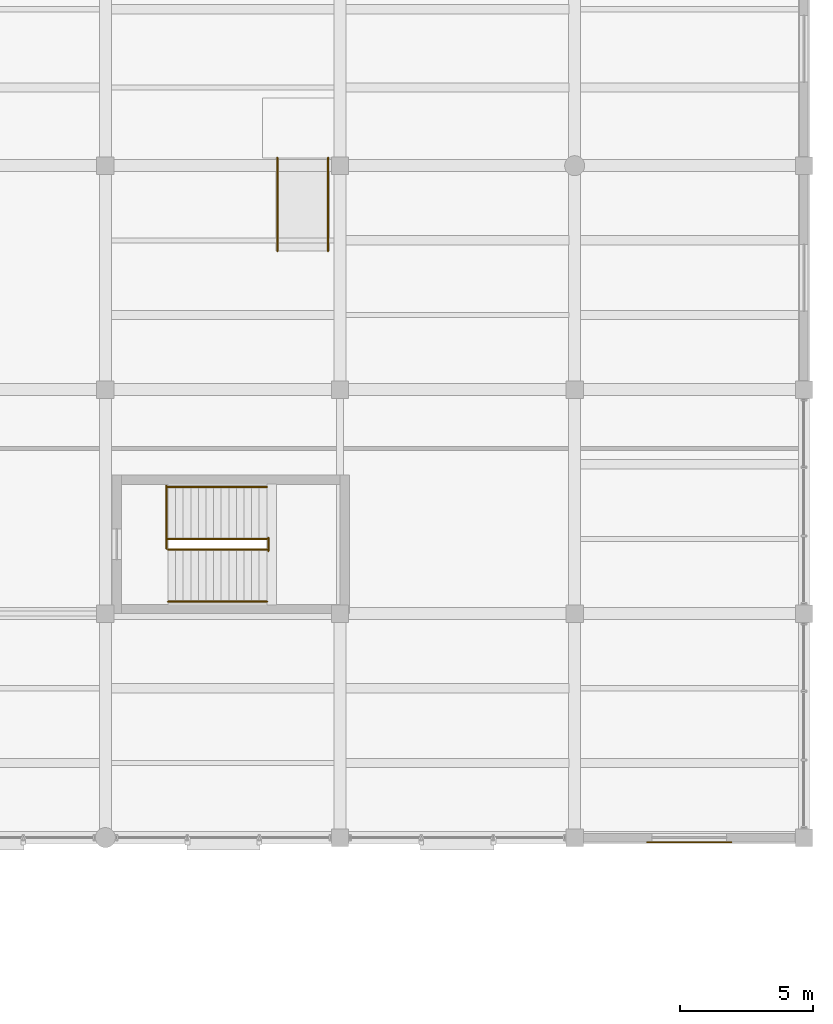
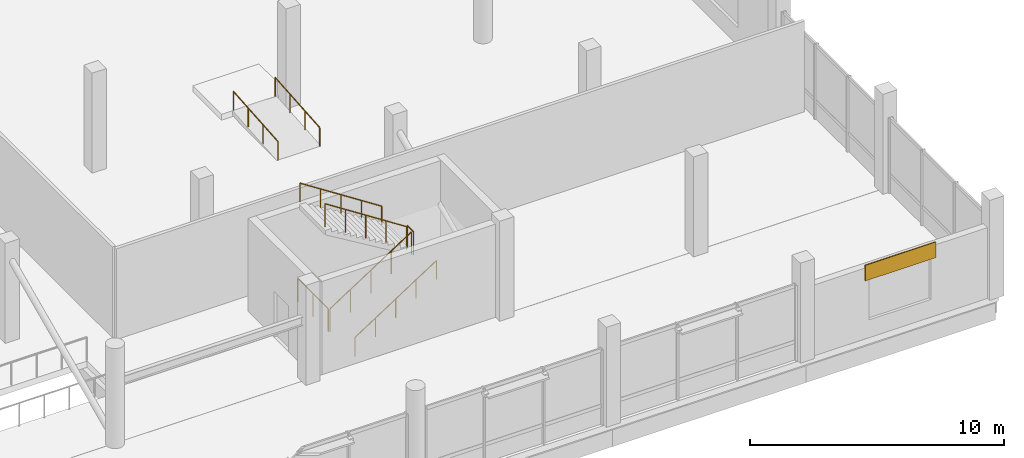
# One storey, part 71 of 71: 8 railings, 1 covering.
"""IFC4 building model written with IfcOpenShell, lengths in metres."""

from ifc_helpers import new_model, si_unit, direction, frame, origin, origin_2d, place, context, subcontext, project, spatial, rectangle, circle, extrude, material, layer, layer_set, type_object, element, save


model = new_model("IFC4")

# Units and contexts
model_context = context("Model", 3, precision=1e-05, world=origin(), true_north=direction((0.0, 1.0)))
body_context = subcontext(model_context, "Body", "Model", "MODEL_VIEW")
ifc_project = project(units=[si_unit("LENGTHUNIT", "METRE"), si_unit("AREAUNIT", "SQUARE_METRE"), si_unit("VOLUMEUNIT", "CUBIC_METRE"), si_unit("PLANEANGLEUNIT", "RADIAN"), si_unit("MASSUNIT", "GRAM", prefix="KILO")], contexts=[model_context])

# Site, building, storey
site_placement = place(None, origin())
site = spatial("IfcSite", under=ifc_project, at=site_placement, CompositionType="ELEMENT")
building_placement = place(site_placement, origin())
building = spatial("IfcBuilding", under=site, at=building_placement, Name="Meriwether Solvik Hall", CompositionType="ELEMENT")
storey_placement = place(building_placement, frame((0.0, 0.0, 5.10009765625)))
storey = spatial("IfcBuildingStorey", under=building, at=storey_placement, Name="L01", CompositionType="ELEMENT", Elevation=5.10009765625)

# Covering
ifc_material_1 = material(Name="Glazed Extruded Terracotta Ceramic", Category="masonry")
ifc_layer_1 = layer(ifc_material_1, 0.044921875)
ifc_layer_set_1 = layer_set([ifc_layer_1], Name="Glazed Extruded Terracotta Ceramic")
covering_type = type_object("IfcCoveringType", Name="COV-CLAD-TERRA", PredefinedType="CLADDING", material=ifc_layer_set_1)
covering_placement = place(storey_placement, frame((162.5, 49.824951171875, 2.809814453125), z_axis=(0.0, 0.0, 1.0), x_axis=(-1.0, 0.0, 0.0)))
element("IfcCovering", 1, at=covering_placement, inside=storey, type_object=covering_type, Name="L01 Facade Cladding XF_18_17", PredefinedType="CLADDING", context=body_context, shape_type="SweptSolid", body=[
    extrude(rectangle(XDim=3.199951171875, YDim=0.044921875, at=origin_2d()), origin(), (0.0, 0.0, 1.0), 0.75),
])

# Railings
ifc_material_2 = material(Name="Steel A36 Galvanised", Category="steel")
ifc_layer_2 = layer(ifc_material_2, 0.054931640625)
ifc_layer_set_2 = layer_set([ifc_layer_2], Name="Steel A36 Galvanised")
railing_type_1 = type_object("IfcRailingType", Name="RAIL-STR-GUARD", PredefinedType="GUARDRAIL", material=ifc_layer_set_2)
railing_1_placement = place(storey_placement, frame((146.715087890625, 60.75, 2.39990234375)))
element("IfcRailing", 2, at=railing_1_placement, inside=storey, type_object=railing_type_1, Name="Stair ST-05 Landing Guardrail (L01)", PredefinedType="GUARDRAIL", context=body_context, shape_type="SweptSolid", body=[
    extrude(circle(Radius=0.02392578125, at=origin_2d()), frame((0.0, 0.0, 1.09619140625), z_axis=(0.0, 1.0, 0.0), x_axis=(-1.0, 0.0, 0.0)), (0.0, 0.0, 1.0), 0.5),
    extrude(circle(Radius=0.02099609375, at=origin_2d()), origin(), (0.0, 0.0, 1.0), 1.072021484375),
    extrude(circle(Radius=0.02099609375, at=origin_2d()), frame((0.0, 0.5, 0.0)), (0.0, 0.0, 1.0), 1.072021484375),
])
railing_2_placement = place(storey_placement, frame((142.889892578125, 60.840087890625, 0.0)))
element("IfcRailing", 3, at=railing_2_placement, inside=storey, type_object=railing_type_1, Name="Stair ST-05 Well Guardrail (L01)", PredefinedType="GUARDRAIL", context=body_context, shape_type="SweptSolid", body=[
    extrude(circle(Radius=0.02392578125, at=origin_2d()), frame((0.0, 0.0, 1.09619140625), z_axis=(0.0, 1.0, 0.0), x_axis=(-1.0, 0.0, 0.0)), (0.0, 0.0, 1.0), 2.35986328125),
    extrude(circle(Radius=0.02099609375, at=origin_2d()), origin(), (0.0, 0.0, 1.0), 1.072021484375),
    extrude(circle(Radius=0.02099609375, at=origin_2d()), frame((0.0, 1.179931640625, 0.0)), (0.0, 0.0, 1.0), 1.072021484375),
    extrude(circle(Radius=0.02099609375, at=origin_2d()), frame((0.0, 2.35986328125, 0.0)), (0.0, 0.0, 1.0), 1.072021484375),
])
railing_3_placement = place(storey_placement, frame((142.949951171875, 60.800048828125, 0.0)))
element("IfcRailing", 4, at=railing_3_placement, inside=storey, type_object=railing_type_1, Name="Stair ST-05 Flight 1 Inner Guardrail (L01)", PredefinedType="GUARDRAIL", context=body_context, shape_type="SweptSolid", body=[
    extrude(circle(Radius=0.02392578125, at=origin_2d()), frame((0.0, 0.0, 1.09619140625), z_axis=(0.839311881426, 0.0, 0.54365022367), x_axis=(0.0, 1.0, 0.0)), (0.0, 0.0, 1.0), 4.414306640625),
    extrude(circle(Radius=0.02099609375, at=origin_2d()), origin(), (0.0, 0.0, 1.0), 1.072021484375),
    extrude(circle(Radius=0.02099609375, at=origin_2d()), frame((0.92626953125, 0.0, 0.60009765625)), (0.0, 0.0, 1.0), 1.072021484375),
    extrude(circle(Radius=0.02099609375, at=origin_2d()), frame((1.8525390625, 0.0, 1.199951171875)), (0.0, 0.0, 1.0), 1.072021484375),
    extrude(circle(Radius=0.02099609375, at=origin_2d()), frame((2.77880859375, 0.0, 1.7998046875)), (0.0, 0.0, 1.0), 1.072021484375),
    extrude(circle(Radius=0.02099609375, at=origin_2d()), frame((3.705078125, 0.0, 2.39990234375)), (0.0, 0.0, 1.0), 1.072021484375),
])
railing_4_placement = place(storey_placement, frame((146.655029296875, 61.199951171875, 2.39990234375)))
element("IfcRailing", 5, at=railing_4_placement, inside=storey, type_object=railing_type_1, Name="Stair ST-05 Flight 2 Inner Guardrail (L01)", PredefinedType="GUARDRAIL", context=body_context, shape_type="SweptSolid", body=[
    extrude(circle(Radius=0.02392578125, at=origin_2d()), frame((0.0, 0.0, 1.09619140625), z_axis=(-0.839311881426, 0.0, 0.54365022367), x_axis=(0.0, -1.0, 0.0)), (0.0, 0.0, 1.0), 4.414306640625),
    extrude(circle(Radius=0.02099609375, at=origin_2d()), origin(), (0.0, 0.0, 1.0), 1.072021484375),
    extrude(circle(Radius=0.02099609375, at=origin_2d()), frame((-0.92626953125, 0.0, 0.60009765625)), (0.0, 0.0, 1.0), 1.072021484375),
    extrude(circle(Radius=0.02099609375, at=origin_2d()), frame((-1.8525390625, 0.0, 1.199951171875)), (0.0, 0.0, 1.0), 1.072021484375),
    extrude(circle(Radius=0.02099609375, at=origin_2d()), frame((-2.77880859375, 0.0, 1.7998046875)), (0.0, 0.0, 1.0), 1.072021484375),
    extrude(circle(Radius=0.02099609375, at=origin_2d()), frame((-3.705078125, 0.0, 2.39990234375)), (0.0, 0.0, 1.0), 1.072021484375),
])
ifc_material_3 = material(Name="Stainless Steel AISI 316", Category="steel")
ifc_layer_3 = layer(ifc_material_3, 0.044921875)
ifc_layer_set_3 = layer_set([ifc_layer_3], Name="Stainless Steel AISI 316")
railing_type_2 = type_object("IfcRailingType", Name="RAIL-STR-HAND", PredefinedType="HANDRAIL", material=ifc_layer_set_3)
railing_5_placement = place(storey_placement, frame((142.949951171875, 58.85009765625, 0.0)))
element("IfcRailing", 6, at=railing_5_placement, inside=storey, type_object=railing_type_2, Name="Stair ST-05 Lower Handrail (L01)", PredefinedType="HANDRAIL", context=body_context, shape_type="SweptSolid", body=[
    extrude(circle(Radius=0.02392578125, at=origin_2d()), frame((0.0, 0.0, 0.89599609375), z_axis=(0.839300432525, 0.0, 0.543667898595), x_axis=(0.0, 1.0, 0.0)), (0.0, 0.0, 1.0), 4.42138671875),
    extrude(circle(Radius=0.02099609375, at=origin_2d()), origin(), (0.0, 0.0, 1.0), 0.871826171875),
    extrude(circle(Radius=0.02099609375, at=origin_2d()), frame((0.927734375, 0.0, 0.60107421875)), (0.0, 0.0, 1.0), 0.871826171875),
    extrude(circle(Radius=0.02099609375, at=origin_2d()), frame((1.85546875, 0.0, 1.201904296875)), (0.0, 0.0, 1.0), 0.871826171875),
    extrude(circle(Radius=0.02099609375, at=origin_2d()), frame((2.783203125, 0.0, 1.802734375)), (0.0, 0.0, 1.0), 0.871826171875),
    extrude(circle(Radius=0.02099609375, at=origin_2d()), frame((3.7109375, 0.0, 2.40380859375)), (0.0, 0.0, 1.0), 0.871826171875),
])
railing_6_placement = place(storey_placement, frame((146.655029296875, 63.14990234375, 2.39990234375)))
element("IfcRailing", 7, at=railing_6_placement, inside=storey, type_object=railing_type_2, Name="Stair ST-05 Upper Handrail (L01)", PredefinedType="HANDRAIL", context=body_context, shape_type="SweptSolid", body=[
    extrude(circle(Radius=0.02392578125, at=origin_2d()), frame((0.0, 0.0, 0.89599609375), z_axis=(-0.839300432525, 0.0, 0.543667898595), x_axis=(0.0, -1.0, 0.0)), (0.0, 0.0, 1.0), 4.42138671875),
    extrude(circle(Radius=0.02099609375, at=origin_2d()), origin(), (0.0, 0.0, 1.0), 0.871826171875),
    extrude(circle(Radius=0.02099609375, at=origin_2d()), frame((-0.927734375, 0.0, 0.60107421875)), (0.0, 0.0, 1.0), 0.871826171875),
    extrude(circle(Radius=0.02099609375, at=origin_2d()), frame((-1.85546875, 0.0, 1.201904296875)), (0.0, 0.0, 1.0), 0.871826171875),
    extrude(circle(Radius=0.02099609375, at=origin_2d()), frame((-2.783203125, 0.0, 1.802734375)), (0.0, 0.0, 1.0), 0.871826171875),
    extrude(circle(Radius=0.02099609375, at=origin_2d()), frame((-3.7109375, 0.0, 2.40380859375)), (0.0, 0.0, 1.0), 0.871826171875),
])
for number, where, name in (
    (8, (147.050048828125, 72.0, 0.0), "Accessible Ramp AR4 Handrail W"),
    (9, (148.949951171875, 72.0, 0.0), "Accessible Ramp AR4 Handrail E"),
):
    element("IfcRailing", number, at=place(storey_placement, frame(where)), inside=storey, type_object=railing_type_2, Name=name, PredefinedType="HANDRAIL", context=body_context, shape_type="SweptSolid", body=[
        extrude(circle(Radius=0.02392578125, at=origin_2d()), frame((0.0, 0.0, 0.89599609375), z_axis=(0.0, 0.996820140651, 0.079684422516), x_axis=(-1.0, 0.0, 0.0)), (0.0, 0.0, 1.0), 3.51123046875),
        extrude(circle(Radius=0.02099609375, at=origin_2d()), origin(), (0.0, 0.0, 1.0), 0.871826171875),
        extrude(circle(Radius=0.02099609375, at=origin_2d()), frame((0.0, 1.166748046875, 0.09326171875)), (0.0, 0.0, 1.0), 0.871826171875),
        extrude(circle(Radius=0.02099609375, at=origin_2d()), frame((0.0, 2.333251953125, 0.1865234375)), (0.0, 0.0, 1.0), 0.871826171875),
        extrude(circle(Radius=0.02099609375, at=origin_2d()), frame((0.0, 3.5, 0.27978515625)), (0.0, 0.0, 1.0), 0.871826171875),
    ])

save(model, "model.ifc")
